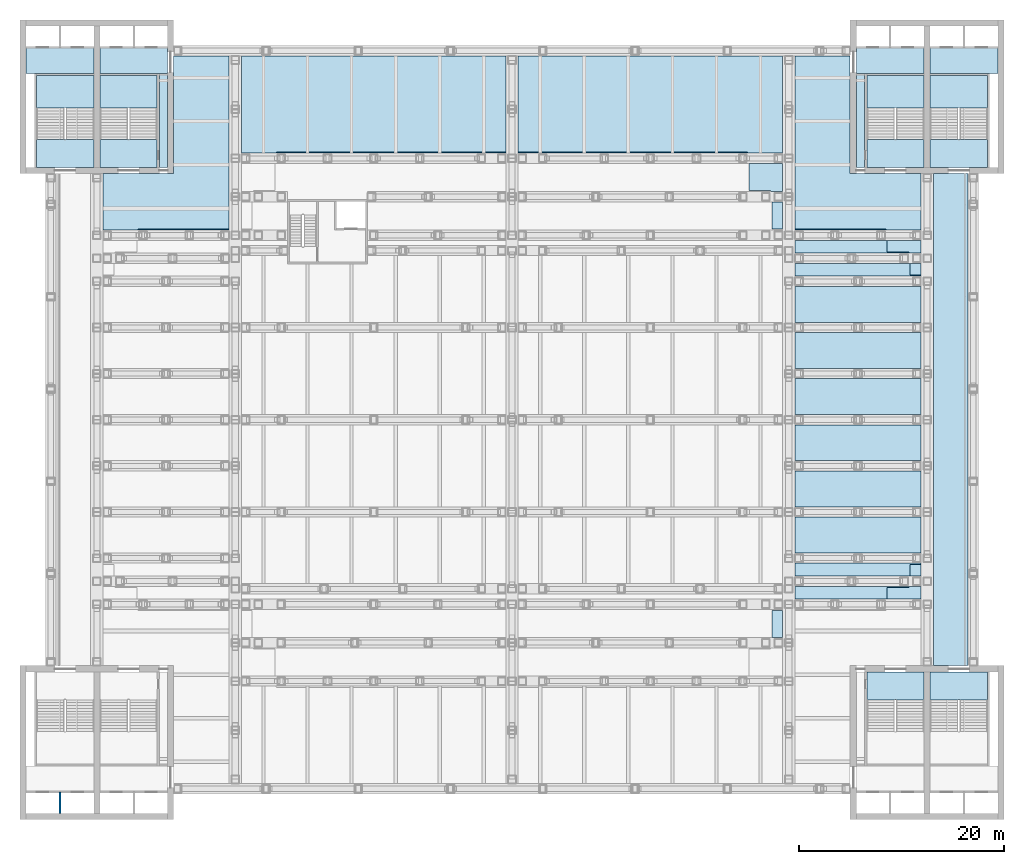
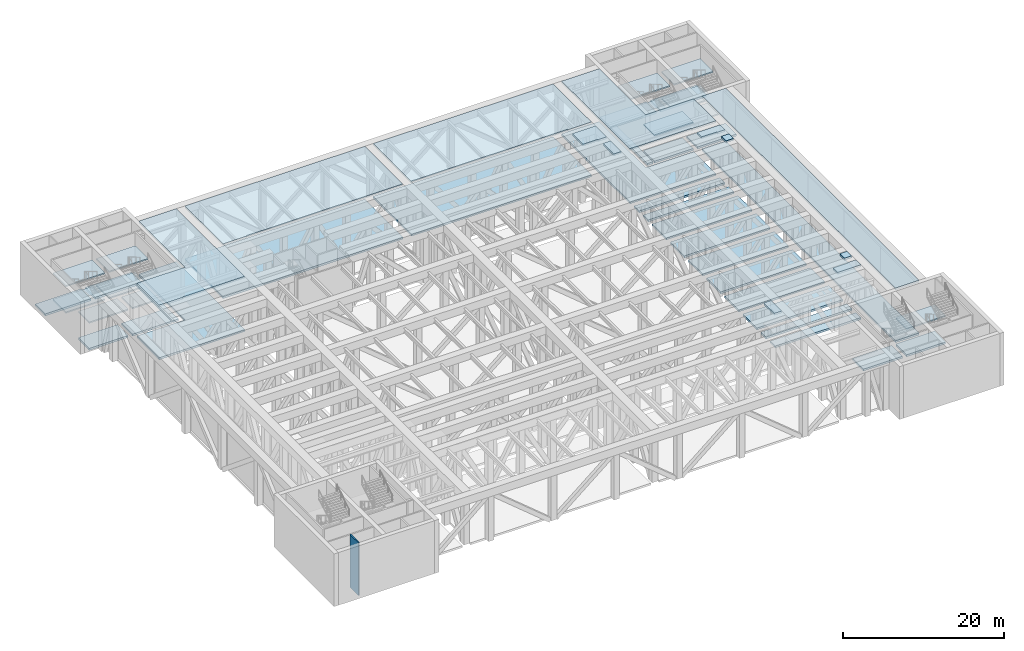
# One storey, part 7 of 20: 52 slabs, 1 wall, 5 elements without a shape of their own.
"""IFC4 building model written with IfcOpenShell, lengths in metres."""

from ifc_helpers import new_model, si_unit, direction, frame, frame_2d, origin, place, context, subcontext, project, spatial, polyline, rectangle, outline, extrude, material, layer, layer_set, type_object, element, aggregate, save


model = new_model("IFC4")

# Units and contexts
model_context = context("Model", 3, precision=1e-05, world=origin(), true_north=direction((0.0, 1.0)))
body_context = subcontext(model_context, "Body", "Model", "MODEL_VIEW")
ifc_project = project(units=[si_unit("LENGTHUNIT", "METRE"), si_unit("AREAUNIT", "SQUARE_METRE"), si_unit("VOLUMEUNIT", "CUBIC_METRE"), si_unit("PLANEANGLEUNIT", "RADIAN"), si_unit("MASSUNIT", "GRAM", prefix="KILO")], contexts=[model_context])

# Site, building, storey
site_placement = place(None, origin())
site = spatial("IfcSite", under=ifc_project, at=site_placement, CompositionType="ELEMENT")
building_placement = place(site_placement, origin())
building = spatial("IfcBuilding", under=site, at=building_placement, Name="Corbelhall Arena Tower", CompositionType="ELEMENT")
storey_placement = place(building_placement, frame((0.0, 0.0, 52.0)))
storey = spatial("IfcBuildingStorey", under=building, at=storey_placement, Name="L07", CompositionType="ELEMENT", Elevation=52.0)

# Stair, slabs
ifc_material_1 = material(Name="Reinforced concrete C40/50", Category="concrete")
stair_type = type_object("IfcStairType", Name="AR-EXIT-STAIR", PredefinedType="HALF_TURN_STAIR", material=ifc_material_1)
stair_1_placement = place(storey_placement, origin())
stair_1 = element("IfcStair", 1, at=stair_1_placement, inside=storey, type_object=stair_type, Name="L07 exit stair AS1", PredefinedType="HALF_TURN_STAIR")
ifc_layer_1 = layer(ifc_material_1, 0.199951171875)
ifc_layer_set_1 = layer_set([ifc_layer_1], Name="AR-EXIT-LANDING")
slab_type_1 = type_object("IfcSlabType", Name="AR-EXIT-LANDING", PredefinedType="LANDING", material=ifc_layer_set_1)
slab_1_placement = place(storey_placement, frame((0.0, 0.0, 1.800048828125)))
slab_1 = element("IfcSlab", 2, at=slab_1_placement, type_object=slab_type_1, Name="AS1 landing 1", PredefinedType="LANDING", context=body_context, shape_type="SweptSolid", body=[
    extrude(outline(polyline([(40.199951171875, 30.39990234375), (40.199951171875, 33.60009765625), (34.610107421875, 33.60009765625), (34.610107421875, 30.39990234375), (40.199951171875, 30.39990234375)])), origin(), (0.0, 0.0, 1.0), 0.199951171875),
])
slab_2_placement = place(storey_placement, frame((0.0, 0.0, 3.800048828125)))
slab_2 = element("IfcSlab", 3, at=slab_2_placement, type_object=slab_type_1, Name="AS1 landing 2", PredefinedType="LANDING", context=body_context, shape_type="SweptSolid", body=[
    extrude(outline(polyline([(40.199951171875, 24.60009765625), (40.199951171875, 27.320068359375), (34.610107421875, 27.320068359375), (34.610107421875, 24.60009765625), (40.199951171875, 24.60009765625)])), origin(), (0.0, 0.0, 1.0), 0.199951171875),
])
slab_3_placement = place(storey_placement, frame((0.0, 0.0, 5.800048828125)))
slab_3 = element("IfcSlab", 4, at=slab_3_placement, type_object=slab_type_1, Name="AS1 landing 3", PredefinedType="LANDING", context=body_context, shape_type="SweptSolid", body=[
    extrude(outline(polyline([(40.199951171875, 30.39990234375), (40.199951171875, 33.60009765625), (34.610107421875, 33.60009765625), (34.610107421875, 30.39990234375), (40.199951171875, 30.39990234375)])), origin(), (0.0, 0.0, 1.0), 0.199951171875),
])
aggregate(stair_1, [slab_1, slab_2, slab_3])

stair_2_placement = place(storey_placement, origin())
stair_2 = element("IfcStair", 5, at=stair_2_placement, inside=storey, type_object=stair_type, Name="L07 exit stair AS2", PredefinedType="HALF_TURN_STAIR")
slab_4_placement = place(storey_placement, frame((0.0, 0.0, 1.800048828125)))
slab_4 = element("IfcSlab", 6, at=slab_4_placement, type_object=slab_type_1, Name="AS2 landing 1", PredefinedType="LANDING", context=body_context, shape_type="SweptSolid", body=[
    extrude(outline(polyline([(46.389892578125, 30.39990234375), (46.389892578125, 33.60009765625), (40.800048828125, 33.60009765625), (40.800048828125, 30.39990234375), (46.389892578125, 30.39990234375)])), origin(), (0.0, 0.0, 1.0), 0.199951171875),
])
slab_5_placement = place(storey_placement, frame((0.0, 0.0, 3.800048828125)))
slab_5 = element("IfcSlab", 7, at=slab_5_placement, type_object=slab_type_1, Name="AS2 landing 2", PredefinedType="LANDING", context=body_context, shape_type="SweptSolid", body=[
    extrude(outline(polyline([(46.389892578125, 24.60009765625), (46.389892578125, 27.320068359375), (40.800048828125, 27.320068359375), (40.800048828125, 24.60009765625), (46.389892578125, 24.60009765625)])), origin(), (0.0, 0.0, 1.0), 0.199951171875),
])
slab_6_placement = place(storey_placement, frame((0.0, 0.0, 5.800048828125)))
slab_6 = element("IfcSlab", 8, at=slab_6_placement, type_object=slab_type_1, Name="AS2 landing 3", PredefinedType="LANDING", context=body_context, shape_type="SweptSolid", body=[
    extrude(outline(polyline([(46.389892578125, 30.39990234375), (46.389892578125, 33.60009765625), (40.800048828125, 33.60009765625), (40.800048828125, 30.39990234375), (46.389892578125, 30.39990234375)])), origin(), (0.0, 0.0, 1.0), 0.199951171875),
])
aggregate(stair_2, [slab_4, slab_5, slab_6])

stair_3_placement = place(storey_placement, origin())
stair_3 = element("IfcStair", 9, at=stair_3_placement, inside=storey, type_object=stair_type, Name="L07 exit stair AS3", PredefinedType="HALF_TURN_STAIR")
slab_7_placement = place(storey_placement, frame((0.0, 0.0, 1.800048828125)))
slab_7 = element("IfcSlab", 10, at=slab_7_placement, type_object=slab_type_1, Name="AS3 landing 1", PredefinedType="LANDING", context=body_context, shape_type="SweptSolid", body=[
    extrude(outline(polyline([(-34.610107421875, 30.39990234375), (-34.610107421875, 33.60009765625), (-40.199951171875, 33.60009765625), (-40.199951171875, 30.39990234375), (-34.610107421875, 30.39990234375)])), origin(), (0.0, 0.0, 1.0), 0.199951171875),
])
slab_8_placement = place(storey_placement, frame((0.0, 0.0, 3.800048828125)))
slab_8 = element("IfcSlab", 11, at=slab_8_placement, type_object=slab_type_1, Name="AS3 landing 2", PredefinedType="LANDING", context=body_context, shape_type="SweptSolid", body=[
    extrude(outline(polyline([(-34.610107421875, 24.60009765625), (-34.610107421875, 27.320068359375), (-40.199951171875, 27.320068359375), (-40.199951171875, 24.60009765625), (-34.610107421875, 24.60009765625)])), origin(), (0.0, 0.0, 1.0), 0.199951171875),
])
slab_9_placement = place(storey_placement, frame((0.0, 0.0, 5.800048828125)))
slab_9 = element("IfcSlab", 12, at=slab_9_placement, type_object=slab_type_1, Name="AS3 landing 3", PredefinedType="LANDING", context=body_context, shape_type="SweptSolid", body=[
    extrude(outline(polyline([(-34.610107421875, 30.39990234375), (-34.610107421875, 33.60009765625), (-40.199951171875, 33.60009765625), (-40.199951171875, 30.39990234375), (-34.610107421875, 30.39990234375)])), origin(), (0.0, 0.0, 1.0), 0.199951171875),
])
aggregate(stair_3, [slab_7, slab_8, slab_9])

stair_4_placement = place(storey_placement, origin())
stair_4 = element("IfcStair", 13, at=stair_4_placement, inside=storey, type_object=stair_type, Name="L07 exit stair AS4", PredefinedType="HALF_TURN_STAIR")
slab_10_placement = place(storey_placement, frame((0.0, 0.0, 1.800048828125)))
slab_10 = element("IfcSlab", 14, at=slab_10_placement, type_object=slab_type_1, Name="AS4 landing 1", PredefinedType="LANDING", context=body_context, shape_type="SweptSolid", body=[
    extrude(outline(polyline([(-40.800048828125, 30.39990234375), (-40.800048828125, 33.60009765625), (-46.389892578125, 33.60009765625), (-46.389892578125, 30.39990234375), (-40.800048828125, 30.39990234375)])), origin(), (0.0, 0.0, 1.0), 0.199951171875),
])
slab_11_placement = place(storey_placement, frame((0.0, 0.0, 3.800048828125)))
slab_11 = element("IfcSlab", 15, at=slab_11_placement, type_object=slab_type_1, Name="AS4 landing 2", PredefinedType="LANDING", context=body_context, shape_type="SweptSolid", body=[
    extrude(outline(polyline([(-40.800048828125, 24.60009765625), (-40.800048828125, 27.320068359375), (-46.389892578125, 27.320068359375), (-46.389892578125, 24.60009765625), (-40.800048828125, 24.60009765625)])), origin(), (0.0, 0.0, 1.0), 0.199951171875),
])
slab_12_placement = place(storey_placement, frame((0.0, 0.0, 5.800048828125)))
slab_12 = element("IfcSlab", 16, at=slab_12_placement, type_object=slab_type_1, Name="AS4 landing 3", PredefinedType="LANDING", context=body_context, shape_type="SweptSolid", body=[
    extrude(outline(polyline([(-40.800048828125, 30.39990234375), (-40.800048828125, 33.60009765625), (-46.389892578125, 33.60009765625), (-46.389892578125, 30.39990234375), (-40.800048828125, 30.39990234375)])), origin(), (0.0, 0.0, 1.0), 0.199951171875),
])
aggregate(stair_4, [slab_10, slab_11, slab_12])

# Stair, slab
stair_5_placement = place(storey_placement, origin())
stair_5 = element("IfcStair", 17, at=stair_5_placement, inside=storey, type_object=stair_type, Name="L07 exit stair AS6", PredefinedType="HALF_TURN_STAIR")
slab_13_placement = place(storey_placement, frame((0.0, 0.0, 3.800048828125)))
slab_13 = element("IfcSlab", 18, at=slab_13_placement, type_object=slab_type_1, Name="AS6 landing 2", PredefinedType="LANDING", context=body_context, shape_type="SweptSolid", body=[
    extrude(outline(polyline([(40.800048828125, -24.60009765625), (40.800048828125, -27.320068359375), (46.389892578125, -27.320068359375), (46.389892578125, -24.60009765625), (40.800048828125, -24.60009765625)])), origin(), (0.0, 0.0, 1.0), 0.199951171875),
])
aggregate(stair_5, [slab_13])

# Slabs
ifc_layer_2 = layer(ifc_material_1, 0.300048828125)
ifc_layer_set_2 = layer_set([ifc_layer_2], Name="AR-STAIR-FLOOR")
slab_type_2 = type_object("IfcSlabType", Name="AR-STAIR-FLOOR", PredefinedType="FLOOR", material=ifc_layer_set_2)
slab_14_placement = place(storey_placement, frame((0.0, 0.0, -0.300048828125)))
element("IfcSlab", 19, at=slab_14_placement, inside=storey, type_object=slab_type_2, Name="Stair AS1 floor", PredefinedType="FLOOR", context=body_context, shape_type="SweptSolid", body=[
    extrude(outline(polyline([(40.199951171875, 24.60009765625), (34.610107421875, 24.60009765625), (34.610107421875, 27.322998046875), (40.199951171875, 27.322998046875), (40.199951171875, 24.60009765625)])), origin(), (0.0, 0.0, 1.0), 0.300048828125),
])
slab_15_placement = place(storey_placement, frame((0.0, 0.0, -0.300048828125)))
element("IfcSlab", 20, at=slab_15_placement, inside=storey, type_object=slab_type_2, Name="Stair AS2 floor", PredefinedType="FLOOR", context=body_context, shape_type="SweptSolid", body=[
    extrude(outline(polyline([(46.389892578125, 24.60009765625), (40.800048828125, 24.60009765625), (40.800048828125, 27.322998046875), (46.389892578125, 27.322998046875), (46.389892578125, 24.60009765625)])), origin(), (0.0, 0.0, 1.0), 0.300048828125),
])
slab_16_placement = place(storey_placement, frame((0.0, 0.0, -0.300048828125)))
element("IfcSlab", 21, at=slab_16_placement, inside=storey, type_object=slab_type_2, Name="Stair AS3 floor", PredefinedType="FLOOR", context=body_context, shape_type="SweptSolid", body=[
    extrude(outline(polyline([(-34.610107421875, 24.60009765625), (-40.199951171875, 24.60009765625), (-40.199951171875, 27.322998046875), (-34.610107421875, 27.322998046875), (-34.610107421875, 24.60009765625)])), origin(), (0.0, 0.0, 1.0), 0.300048828125),
])
slab_17_placement = place(storey_placement, frame((0.0, 0.0, -0.300048828125)))
element("IfcSlab", 22, at=slab_17_placement, inside=storey, type_object=slab_type_2, Name="Stair AS4 floor", PredefinedType="FLOOR", context=body_context, shape_type="SweptSolid", body=[
    extrude(outline(polyline([(-40.800048828125, 24.60009765625), (-46.389892578125, 24.60009765625), (-46.389892578125, 27.322998046875), (-40.800048828125, 27.322998046875), (-40.800048828125, 24.60009765625)])), origin(), (0.0, 0.0, 1.0), 0.300048828125),
])
slab_18_placement = place(storey_placement, frame((0.0, 0.0, -0.300048828125)))
element("IfcSlab", 23, at=slab_18_placement, inside=storey, type_object=slab_type_2, Name="Stair AS5 floor", PredefinedType="FLOOR", context=body_context, shape_type="SweptSolid", body=[
    extrude(outline(polyline([(34.610107421875, -24.60009765625), (40.199951171875, -24.60009765625), (40.199951171875, -27.322998046875), (34.610107421875, -27.322998046875), (34.610107421875, -24.60009765625)])), origin(), (0.0, 0.0, 1.0), 0.300048828125),
])
slab_19_placement = place(storey_placement, frame((0.0, 0.0, -0.300048828125)))
element("IfcSlab", 24, at=slab_19_placement, inside=storey, type_object=slab_type_2, Name="Stair AS6 floor", PredefinedType="FLOOR", context=body_context, shape_type="SweptSolid", body=[
    extrude(outline(polyline([(40.800048828125, -24.60009765625), (46.389892578125, -24.60009765625), (46.389892578125, -27.322998046875), (40.800048828125, -27.322998046875), (40.800048828125, -24.60009765625)])), origin(), (0.0, 0.0, 1.0), 0.300048828125),
])
slab_20_placement = place(storey_placement, frame((0.0, 0.0, -0.300048828125)))
element("IfcSlab", 25, at=slab_20_placement, inside=storey, type_object=slab_type_2, Name="Lift lobby floor NE", PredefinedType="FLOOR", context=body_context, shape_type="SweptSolid", body=[
    extrude(outline(polyline([(40.199951171875, 33.800048828125), (40.199951171875, 36.300048828125), (33.60009765625, 36.300048828125), (33.60009765625, 33.800048828125), (40.199951171875, 33.800048828125)])), origin(), (0.0, 0.0, 1.0), 0.300048828125),
])
slab_21_placement = place(storey_placement, frame((0.0, 0.0, -0.300048828125)))
element("IfcSlab", 26, at=slab_21_placement, inside=storey, type_object=slab_type_2, Name="Lift lobby floor NE", PredefinedType="FLOOR", context=body_context, shape_type="SweptSolid", body=[
    extrude(outline(polyline([(47.39990234375, 33.800048828125), (47.39990234375, 36.300048828125), (40.800048828125, 36.300048828125), (40.800048828125, 33.800048828125), (47.39990234375, 33.800048828125)])), origin(), (0.0, 0.0, 1.0), 0.300048828125),
])
slab_22_placement = place(storey_placement, frame((0.0, 0.0, -0.300048828125)))
element("IfcSlab", 27, at=slab_22_placement, inside=storey, type_object=slab_type_2, Name="Lift lobby floor NW", PredefinedType="FLOOR", context=body_context, shape_type="SweptSolid", body=[
    extrude(outline(polyline([(-40.800048828125, 33.800048828125), (-40.800048828125, 36.300048828125), (-47.39990234375, 36.300048828125), (-47.39990234375, 33.800048828125), (-40.800048828125, 33.800048828125)])), origin(), (0.0, 0.0, 1.0), 0.300048828125),
])
slab_23_placement = place(storey_placement, frame((0.0, 0.0, -0.300048828125)))
element("IfcSlab", 28, at=slab_23_placement, inside=storey, type_object=slab_type_2, Name="Lift lobby floor NW", PredefinedType="FLOOR", context=body_context, shape_type="SweptSolid", body=[
    extrude(outline(polyline([(-33.60009765625, 33.800048828125), (-33.60009765625, 36.300048828125), (-40.199951171875, 36.300048828125), (-40.199951171875, 33.800048828125), (-33.60009765625, 33.800048828125)])), origin(), (0.0, 0.0, 1.0), 0.300048828125),
])
slab_24_placement = place(storey_placement, frame((0.0, 0.0, -0.300048828125)))
element("IfcSlab", 29, at=slab_24_placement, inside=storey, type_object=slab_type_2, Name="Mechanical plant room 01 floor", PredefinedType="FLOOR", context=body_context, shape_type="SweptSolid", body=[
    extrude(outline(polyline([(34.409912109375, 24.60009765625), (34.409912109375, 33.699951171875), (33.60009765625, 33.699951171875), (33.60009765625, 24.60009765625), (34.409912109375, 24.60009765625)])), origin(), (0.0, 0.0, 1.0), 0.300048828125),
])
slab_25_placement = place(storey_placement, frame((0.0, 0.0, -0.300048828125)))
element("IfcSlab", 30, at=slab_25_placement, inside=storey, type_object=slab_type_2, Name="Mechanical plant room 02 floor", PredefinedType="FLOOR", context=body_context, shape_type="SweptSolid", body=[
    extrude(outline(polyline([(-33.60009765625, 24.60009765625), (-33.60009765625, 33.699951171875), (-34.409912109375, 33.699951171875), (-34.409912109375, 24.60009765625), (-33.60009765625, 24.60009765625)])), origin(), (0.0, 0.0, 1.0), 0.300048828125),
])
ifc_material_2 = material(Name="Concrete C32/40", Category="concrete")
ifc_layer_3 = layer(ifc_material_2, 0.300048828125)
ifc_layer_set_3 = layer_set([ifc_layer_3], Name="PO-DECK-FLOOR")
slab_type_3 = type_object("IfcSlabType", Name="PO-DECK-FLOOR", PredefinedType="FLOOR", material=ifc_layer_set_3)
slab_26_placement = place(storey_placement, frame((0.0, 0.0, -0.300048828125)))
element("IfcSlab", 31, at=slab_26_placement, inside=storey, type_object=slab_type_3, Name="DECK MID 13", PredefinedType="FLOOR", context=body_context, shape_type="SweptSolid", body=[
    extrude(outline(polyline([(-33.0, 35.5), (-27.60009765625, 35.5), (-27.60009765625, 18.5), (-39.89990234375, 18.5), (-39.89990234375, 24.0), (-33.0, 24.0), (-33.0, 35.5)])), origin(), (0.0, 0.0, 1.0), 0.300048828125),
])
slab_27_placement = place(storey_placement, frame((0.0, 0.0, -0.300048828125)))
element("IfcSlab", 32, at=slab_27_placement, inside=storey, type_object=slab_type_3, Name="DECK MID 24", PredefinedType="FLOOR", context=body_context, shape_type="SweptSolid", body=[
    extrude(outline(polyline([(-26.39990234375, 35.5), (-0.60009765625, 35.5), (-0.60009765625, 26.0), (-26.39990234375, 26.0), (-26.39990234375, 35.5)])), origin(), (0.0, 0.0, 1.0), 0.300048828125),
])
slab_28_placement = place(storey_placement, frame((0.0, 0.0, -0.300048828125)))
element("IfcSlab", 33, at=slab_28_placement, inside=storey, type_object=slab_type_3, Name="DECK MID 39", PredefinedType="FLOOR", context=body_context, shape_type="SweptSolid", body=[
    extrude(outline(polyline([(0.60009765625, 35.5), (26.39990234375, 35.5), (26.39990234375, 26.0), (0.60009765625, 26.0), (0.60009765625, 35.5)])), origin(), (0.0, 0.0, 1.0), 0.300048828125),
])
slab_29_placement = place(storey_placement, frame((0.0, 0.0, -0.300048828125)))
element("IfcSlab", 34, at=slab_29_placement, inside=storey, type_object=slab_type_3, Name="DECK MID 41", PredefinedType="FLOOR", context=body_context, shape_type="SweptSolid", body=[
    extrude(outline(polyline([(27.60009765625, 35.5), (33.0, 35.5), (33.0, 24.0), (39.89990234375, 24.0), (39.89990234375, 18.5), (27.60009765625, 18.5), (27.60009765625, 35.5)])), origin(), (0.0, 0.0, 1.0), 0.300048828125),
])
slab_30_placement = place(storey_placement, frame((0.0, 0.0, -0.300048828125)))
element("IfcSlab", 35, at=slab_30_placement, inside=storey, type_object=slab_type_3, Name="DECK MID 42", PredefinedType="FLOOR", context=body_context, shape_type="SweptSolid", body=[
    extrude(outline(polyline([(39.89990234375, -17.5), (27.60009765625, -17.5), (27.60009765625, -16.25), (39.89990234375, -16.25), (39.89990234375, -17.5)])), origin(), (0.0, 0.0, 1.0), 0.300048828125),
])
slab_31_placement = place(storey_placement, frame((0.0, 0.0, -0.300048828125)))
element("IfcSlab", 36, at=slab_31_placement, inside=storey, type_object=slab_type_3, Name="DECK MID 43", PredefinedType="FLOOR", context=body_context, shape_type="SweptSolid", body=[
    extrude(outline(polyline([(27.60009765625, -15.25), (27.60009765625, -14.0), (39.89990234375, -14.0), (39.89990234375, -15.25), (27.60009765625, -15.25)])), origin(), (0.0, 0.0, 1.0), 0.300048828125),
])
slab_32_placement = place(storey_placement, frame((0.0, 0.0, -0.300048828125)))
element("IfcSlab", 37, at=slab_32_placement, inside=storey, type_object=slab_type_3, Name="DECK MID 44", PredefinedType="FLOOR", context=body_context, shape_type="SweptSolid", body=[
    extrude(outline(polyline([(27.60009765625, -13.0), (27.60009765625, -9.5), (39.89990234375, -9.5), (39.89990234375, -13.0), (27.60009765625, -13.0)])), origin(), (0.0, 0.0, 1.0), 0.300048828125),
])
slab_33_placement = place(storey_placement, frame((0.0, 0.0, -0.300048828125)))
element("IfcSlab", 38, at=slab_33_placement, inside=storey, type_object=slab_type_3, Name="DECK MID 45", PredefinedType="FLOOR", context=body_context, shape_type="SweptSolid", body=[
    extrude(outline(polyline([(27.60009765625, -8.5), (27.60009765625, -5.0), (39.89990234375, -5.0), (39.89990234375, -8.5), (27.60009765625, -8.5)])), origin(), (0.0, 0.0, 1.0), 0.300048828125),
])
slab_34_placement = place(storey_placement, frame((0.0, 0.0, -0.300048828125)))
element("IfcSlab", 39, at=slab_34_placement, inside=storey, type_object=slab_type_3, Name="DECK MID 46", PredefinedType="FLOOR", context=body_context, shape_type="SweptSolid", body=[
    extrude(outline(polyline([(27.60009765625, -4.0), (27.60009765625, -0.5), (39.89990234375, -0.5), (39.89990234375, -4.0), (27.60009765625, -4.0)])), origin(), (0.0, 0.0, 1.0), 0.300048828125),
])
slab_35_placement = place(storey_placement, frame((0.0, 0.0, -0.300048828125)))
element("IfcSlab", 40, at=slab_35_placement, inside=storey, type_object=slab_type_3, Name="DECK MID 47", PredefinedType="FLOOR", context=body_context, shape_type="SweptSolid", body=[
    extrude(outline(polyline([(39.89990234375, 0.5), (27.60009765625, 0.5), (27.60009765625, 4.0), (39.89990234375, 4.0), (39.89990234375, 0.5)])), origin(), (0.0, 0.0, 1.0), 0.300048828125),
])
slab_36_placement = place(storey_placement, frame((0.0, 0.0, -0.300048828125)))
element("IfcSlab", 41, at=slab_36_placement, inside=storey, type_object=slab_type_3, Name="DECK MID 48", PredefinedType="FLOOR", context=body_context, shape_type="SweptSolid", body=[
    extrude(outline(polyline([(39.89990234375, 5.0), (27.60009765625, 5.0), (27.60009765625, 8.5), (39.89990234375, 8.5), (39.89990234375, 5.0)])), origin(), (0.0, 0.0, 1.0), 0.300048828125),
])
slab_37_placement = place(storey_placement, frame((0.0, 0.0, -0.300048828125)))
element("IfcSlab", 42, at=slab_37_placement, inside=storey, type_object=slab_type_3, Name="DECK MID 49", PredefinedType="FLOOR", context=body_context, shape_type="SweptSolid", body=[
    extrude(outline(polyline([(39.89990234375, 9.5), (27.60009765625, 9.5), (27.60009765625, 13.0), (39.89990234375, 13.0), (39.89990234375, 9.5)])), origin(), (0.0, 0.0, 1.0), 0.300048828125),
])
slab_38_placement = place(storey_placement, frame((0.0, 0.0, -0.300048828125)))
element("IfcSlab", 43, at=slab_38_placement, inside=storey, type_object=slab_type_3, Name="DECK MID 50", PredefinedType="FLOOR", context=body_context, shape_type="SweptSolid", body=[
    extrude(outline(polyline([(39.89990234375, 14.0), (27.60009765625, 14.0), (27.60009765625, 15.25), (39.89990234375, 15.25), (39.89990234375, 14.0)])), origin(), (0.0, 0.0, 1.0), 0.300048828125),
])
slab_39_placement = place(storey_placement, frame((0.0, 0.0, -0.300048828125)))
element("IfcSlab", 44, at=slab_39_placement, inside=storey, type_object=slab_type_3, Name="DECK MID 51", PredefinedType="FLOOR", context=body_context, shape_type="SweptSolid", body=[
    extrude(outline(polyline([(39.89990234375, 16.25), (27.60009765625, 16.25), (27.60009765625, 17.5), (39.89990234375, 17.5), (39.89990234375, 16.25)])), origin(), (0.0, 0.0, 1.0), 0.300048828125),
])
slab_40_placement = place(storey_placement, frame((0.0, 0.0, -0.300048828125)))
element("IfcSlab", 45, at=slab_40_placement, inside=storey, type_object=slab_type_3, Name="DECK MID 52", PredefinedType="FLOOR", context=body_context, shape_type="SweptSolid", body=[
    extrude(outline(polyline([(44.5, -24.0), (41.10009765625, -24.0), (41.10009765625, 24.0), (44.5, 24.0), (44.5, -24.0)])), origin(), (0.0, 0.0, 1.0), 0.300048828125),
])
ifc_layer_4 = layer(ifc_material_2, 0.300048828125)
ifc_layer_set_4 = layer_set([ifc_layer_4], Name="PO-DECK-ROOF")
slab_type_4 = type_object("IfcSlabType", Name="PO-DECK-ROOF", PredefinedType="ROOF", material=ifc_layer_set_4)
slab_41_placement = place(storey_placement, frame((0.0, 0.0, 7.699951171875)))
element("IfcSlab", 46, at=slab_41_placement, inside=storey, type_object=slab_type_4, Name="DECK TOP 13", PredefinedType="ROOF", context=body_context, shape_type="SweptSolid", body=[
    extrude(outline(polyline([(-27.60009765625, 35.5), (-27.60009765625, 18.60009765625), (-36.449951171875, 18.60009765625), (-36.550048828125, 18.5), (-39.89990234375, 18.5), (-39.89990234375, 24.0), (-33.0, 24.0), (-33.0, 35.5), (-27.60009765625, 35.5)])), origin(), (0.0, 0.0, 1.0), 0.300048828125),
])
slab_42_placement = place(storey_placement, frame((0.0, 0.0, 7.699951171875)))
element("IfcSlab", 47, at=slab_42_placement, inside=storey, type_object=slab_type_4, Name="DECK TOP 24", PredefinedType="ROOF", context=body_context, shape_type="SweptSolid", body=[
    extrude(outline(polyline([(-0.60009765625, 35.5), (-0.60009765625, 26.10009765625), (-22.949951171875, 26.10009765625), (-23.050048828125, 26.0), (-26.39990234375, 26.0), (-26.39990234375, 35.5), (-0.60009765625, 35.5)])), origin(), (0.0, 0.0, 1.0), 0.300048828125),
])
slab_43_placement = place(storey_placement, frame((0.0, 0.0, 7.699951171875)))
element("IfcSlab", 48, at=slab_43_placement, inside=storey, type_object=slab_type_4, Name="DECK TOP 30", PredefinedType="ROOF", context=body_context, shape_type="SweptSolid", body=[
    extrude(outline(polyline([(26.39990234375, -21.25), (25.35009765625, -21.25), (25.35009765625, -18.60009765625), (26.39990234375, -18.60009765625), (26.39990234375, -21.25)])), origin(), (0.0, 0.0, 1.0), 0.300048828125),
])
slab_44_placement = place(storey_placement, frame((0.0, 0.0, 7.699951171875)))
element("IfcSlab", 49, at=slab_44_placement, inside=storey, type_object=slab_type_4, Name="DECK TOP 37", PredefinedType="ROOF", context=body_context, shape_type="SweptSolid", body=[
    extrude(outline(polyline([(26.39990234375, 21.25), (26.39990234375, 18.60009765625), (25.35009765625, 18.60009765625), (25.35009765625, 21.25), (26.39990234375, 21.25)])), origin(), (0.0, 0.0, 1.0), 0.300048828125),
])
slab_45_placement = place(storey_placement, frame((0.0, 0.0, 7.699951171875)))
element("IfcSlab", 50, at=slab_45_placement, inside=storey, type_object=slab_type_4, Name="DECK TOP 38", PredefinedType="ROOF", context=body_context, shape_type="SweptSolid", body=[
    extrude(outline(polyline([(26.39990234375, 25.0), (26.39990234375, 22.25), (25.300048828125, 22.25), (25.199951171875, 22.35009765625), (23.10009765625, 22.35009765625), (23.10009765625, 25.0), (26.39990234375, 25.0)])), origin(), (0.0, 0.0, 1.0), 0.300048828125),
])
slab_46_placement = place(storey_placement, frame((0.0, 0.0, 7.699951171875)))
element("IfcSlab", 51, at=slab_46_placement, inside=storey, type_object=slab_type_4, Name="DECK TOP 39", PredefinedType="ROOF", context=body_context, shape_type="SweptSolid", body=[
    extrude(outline(polyline([(26.39990234375, 35.5), (26.39990234375, 26.0), (23.050048828125, 26.0), (22.949951171875, 26.10009765625), (0.60009765625, 26.10009765625), (0.60009765625, 35.5), (26.39990234375, 35.5)])), origin(), (0.0, 0.0, 1.0), 0.300048828125),
])
slab_47_placement = place(storey_placement, frame((0.0, 0.0, 7.699951171875)))
element("IfcSlab", 52, at=slab_47_placement, inside=storey, type_object=slab_type_4, Name="DECK TOP 41", PredefinedType="ROOF", context=body_context, shape_type="SweptSolid", body=[
    extrude(outline(polyline([(33.0, 35.5), (33.0, 24.0), (39.89990234375, 24.0), (39.89990234375, 18.5), (36.550048828125, 18.5), (36.449951171875, 18.60009765625), (27.60009765625, 18.60009765625), (27.60009765625, 35.5), (33.0, 35.5)])), origin(), (0.0, 0.0, 1.0), 0.300048828125),
])
slab_48_placement = place(storey_placement, frame((0.0, 0.0, 7.699951171875)))
element("IfcSlab", 53, at=slab_48_placement, inside=storey, type_object=slab_type_4, Name="DECK TOP 42", PredefinedType="ROOF", context=body_context, shape_type="SweptSolid", body=[
    extrude(outline(polyline([(36.60009765625, -17.5), (36.60009765625, -16.35009765625), (38.699951171875, -16.35009765625), (38.800048828125, -16.25), (39.89990234375, -16.25), (39.89990234375, -17.5), (36.60009765625, -17.5)])), origin(), (0.0, 0.0, 1.0), 0.300048828125),
])
slab_49_placement = place(storey_placement, frame((0.0, 0.0, 7.699951171875)))
element("IfcSlab", 54, at=slab_49_placement, inside=storey, type_object=slab_type_4, Name="DECK TOP 43", PredefinedType="ROOF", context=body_context, shape_type="SweptSolid", body=[
    extrude(outline(polyline([(39.89990234375, -15.25), (38.85009765625, -15.25), (38.85009765625, -14.10009765625), (39.89990234375, -14.10009765625), (39.89990234375, -15.25)])), origin(), (0.0, 0.0, 1.0), 0.300048828125),
])
slab_50_placement = place(storey_placement, frame((0.0, 0.0, 7.699951171875)))
element("IfcSlab", 55, at=slab_50_placement, inside=storey, type_object=slab_type_4, Name="DECK TOP 50", PredefinedType="ROOF", context=body_context, shape_type="SweptSolid", body=[
    extrude(outline(polyline([(39.89990234375, 15.25), (39.89990234375, 14.10009765625), (38.85009765625, 14.10009765625), (38.85009765625, 15.25), (39.89990234375, 15.25)])), origin(), (0.0, 0.0, 1.0), 0.300048828125),
])
slab_51_placement = place(storey_placement, frame((0.0, 0.0, 7.699951171875)))
element("IfcSlab", 56, at=slab_51_placement, inside=storey, type_object=slab_type_4, Name="DECK TOP 51", PredefinedType="ROOF", context=body_context, shape_type="SweptSolid", body=[
    extrude(outline(polyline([(38.800048828125, 16.25), (38.699951171875, 16.35009765625), (36.60009765625, 16.35009765625), (36.60009765625, 17.5), (39.89990234375, 17.5), (39.89990234375, 16.25), (38.800048828125, 16.25)])), origin(), (0.0, 0.0, 1.0), 0.300048828125),
])
slab_52_placement = place(storey_placement, frame((0.0, 0.0, 7.699951171875)))
element("IfcSlab", 57, at=slab_52_placement, inside=storey, type_object=slab_type_4, Name="DECK TOP 52", PredefinedType="ROOF", context=body_context, shape_type="SweptSolid", body=[
    extrude(outline(polyline([(41.10009765625, -24.0), (41.10009765625, -13.949951171875), (41.10009765625, 13.949951171875), (41.10009765625, 24.0), (44.5, 24.0), (44.5, -24.0), (41.10009765625, -24.0)])), origin(), (0.0, 0.0, 1.0), 0.300048828125),
])

# Wall
ifc_layer_5 = layer(ifc_material_1, 0.199951171875)
ifc_layer_set_5 = layer_set([ifc_layer_5], Name="AR-SHAFT-WALL")
wall_type = type_object("IfcWallType", Name="AR-SHAFT-WALL", PredefinedType="SHEAR", material=ifc_layer_set_5)
wall_placement = place(storey_placement, frame((-44.10009765625, -38.39990234375, 0.0), z_axis=(0.0, 0.0, 1.0), x_axis=(0.0, 1.0, 0.0)))
element("IfcWall", 58, at=wall_placement, inside=storey, type_object=wall_type, Name="Shaft wall SW", PredefinedType="SHEAR", context=body_context, shape_type="SweptSolid", body=[
    extrude(rectangle(XDim=2.099853515625, YDim=0.199951171875, at=frame_2d((1.0498046875, 0.0))), origin(), (0.0, 0.0, 1.0), 8.0),
])

save(model, "model.ifc")
